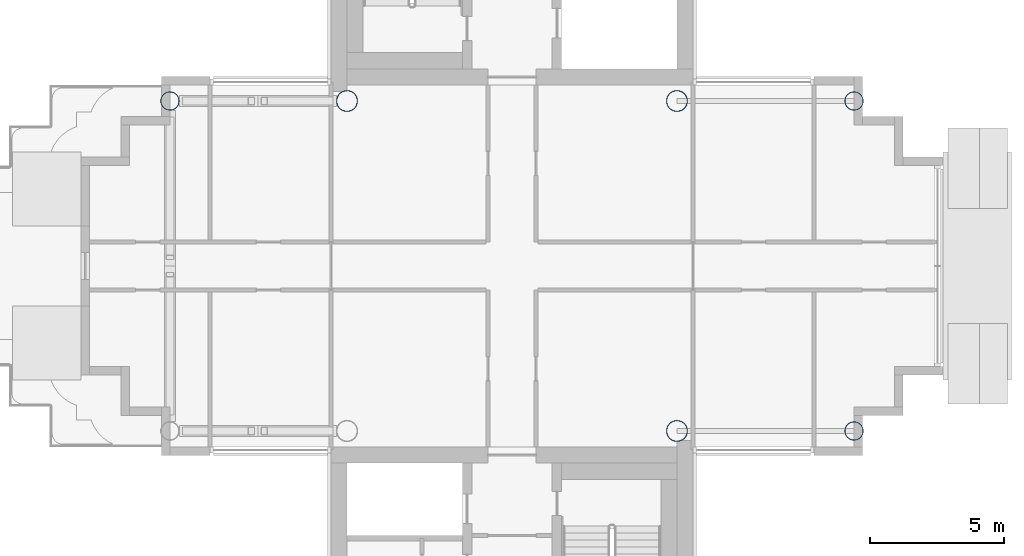
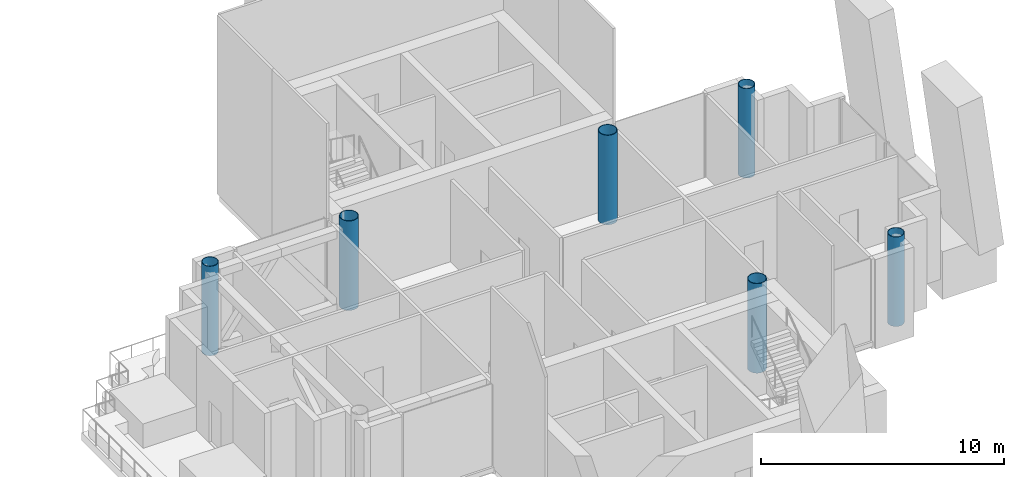
# One storey, part 2 of 16: 6 columns.
"""IFC4 building model written with IfcOpenShell, lengths in metres."""

from ifc_helpers import new_model, si_unit, direction, frame, origin, origin_2d, place, context, subcontext, project, spatial, hollow_circle, extrude, material, material_profile, profile_set, type_object, element, save


model = new_model("IFC4")

# Units and contexts
model_context = context("Model", 3, precision=1e-05, world=origin(), true_north=direction((0.0, 1.0)))
body_context = subcontext(model_context, "Body", "Model", "MODEL_VIEW")
ifc_project = project(units=[si_unit("LENGTHUNIT", "METRE"), si_unit("AREAUNIT", "SQUARE_METRE"), si_unit("VOLUMEUNIT", "CUBIC_METRE"), si_unit("PLANEANGLEUNIT", "RADIAN"), si_unit("MASSUNIT", "GRAM", prefix="KILO")], contexts=[model_context])

# Site, building, storey
site_placement = place(None, origin())
site = spatial("IfcSite", under=ifc_project, at=site_placement, CompositionType="ELEMENT")
building_placement = place(site_placement, origin())
building = spatial("IfcBuilding", under=site, at=building_placement, Name="Ipe Terrace Towers", CompositionType="ELEMENT")
storey_placement = place(building_placement, frame((0.0, 0.0, 233.39990234375)))
storey = spatial("IfcBuildingStorey", under=building, at=storey_placement, Name="L65", CompositionType="ELEMENT", Elevation=233.39990234375)

# Columns
ifc_material_1 = material(Name="Steel S355 tube with Concrete C60/75 fill", Category="concrete")
ifc_material_profile_1 = material_profile(ifc_material_1, hollow_circle(Radius=0.35009765625, WallThickness=0.02490234375, at=origin_2d()), Name="CHS-700x25")
ifc_profile_set_1 = profile_set([ifc_material_profile_1], Name="Steel S355 tube with Concrete C60/75 fill")
column_type_1 = type_object("IfcColumnType", Name="CH08 COLUMN CHS-700x25", PredefinedType="COLUMN", material=ifc_profile_set_1)
for number, where, z_axis, x_axis, name in (
    (1, (23.25, 6.14990234375, 0.0), (0.0, 0.0, 1.0), (1.0, 0.0, 0.0), "Column T2-C-B01"),
    (2, (48.75, -6.14990234375, 0.0), (0.0, 0.0, 1.0), (1.0, 0.0, 0.0), "Column T2-C-D01"),
    (3, (48.75, 6.14990234375, 0.0), (0.0, 0.0, 1.0), (1.0, 0.0, 0.0), "Column T2-C-D02"),
):
    element("IfcColumn", number, at=place(storey_placement, frame(where, z_axis=z_axis, x_axis=x_axis)), inside=storey, type_object=column_type_1, Name=name, PredefinedType="COLUMN", context=body_context, shape_type="SweptSolid", body=[
        extrude(hollow_circle(Radius=0.35009765625, WallThickness=0.02490234375, at=origin_2d()), origin(), (0.0, 0.0, 1.0), 4.5),
    ])
ifc_material_2 = material(Name="Steel S355 tube with Concrete C60/75 fill", Category="concrete")
ifc_material_profile_2 = material_profile(ifc_material_2, hollow_circle(Radius=0.39990234375, WallThickness=0.028076171875, at=origin_2d()), Name="CHS-800x28")
ifc_profile_set_2 = profile_set([ifc_material_profile_2], Name="Steel S355 tube with Concrete C60/75 fill")
column_type_2 = type_object("IfcColumnType", Name="CH09 COLUMN CHS-800x28", PredefinedType="COLUMN", material=ifc_profile_set_2)
for number, where, z_axis, x_axis, name in (
    (4, (42.14990234375, -6.14990234375, 0.0), (0.0, 0.0, 1.0), (1.0, 0.0, 0.0), "Column T2-C-E01"),
    (5, (42.14990234375, 6.14990234375, 0.0), (0.0, 0.0, 1.0), (1.0, 0.0, 0.0), "Column T2-C-E02"),
    (6, (29.85009765625, 6.14990234375, 0.0), (0.0, 0.0, 1.0), (1.0, 0.0, 0.0), "Column T2-C-E03"),
):
    element("IfcColumn", number, at=place(storey_placement, frame(where, z_axis=z_axis, x_axis=x_axis)), inside=storey, type_object=column_type_2, Name=name, PredefinedType="COLUMN", context=body_context, shape_type="SweptSolid", body=[
        extrude(hollow_circle(Radius=0.39990234375, WallThickness=0.028076171875, at=origin_2d()), origin(), (0.0, 0.0, 1.0), 4.5),
    ])

save(model, "model.ifc")
